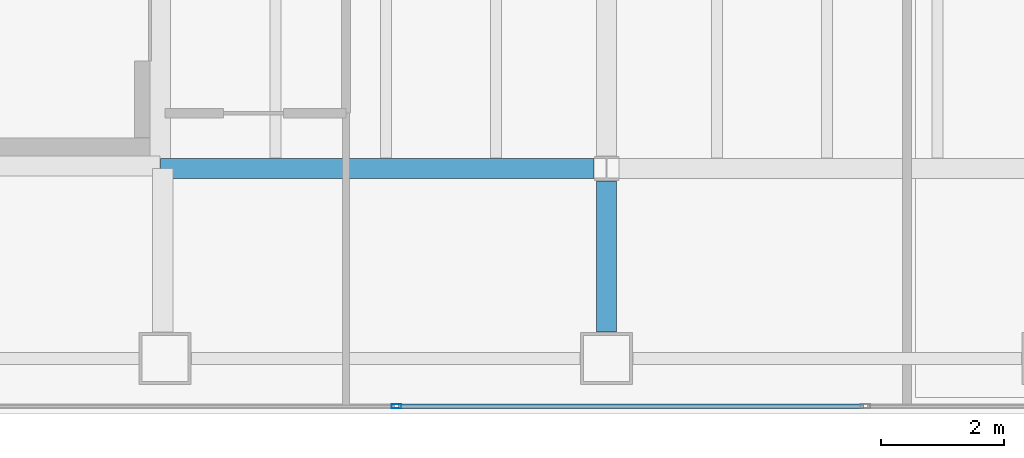
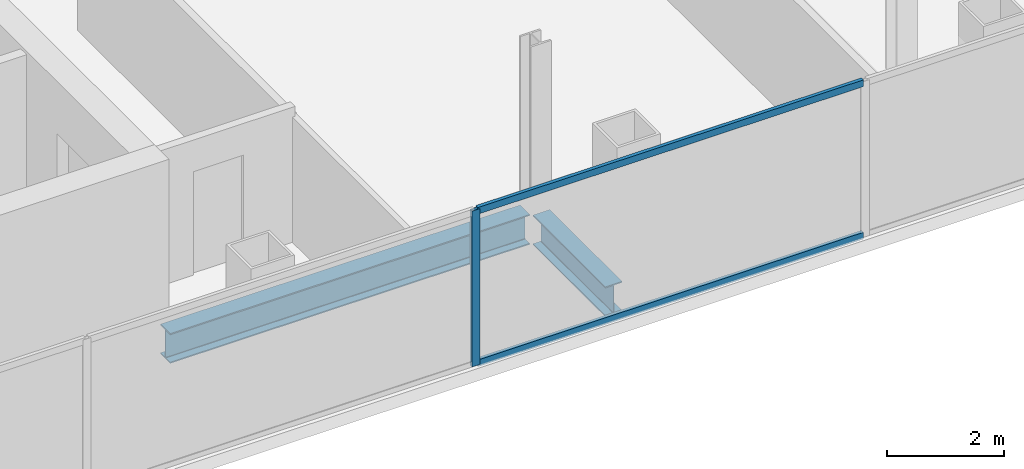
# One storey, part 4 of 23: 3 members, 2 beams, 1 element without a shape of its own.
"""IFC4 building model written with IfcOpenShell, lengths in metres."""

from ifc_helpers import new_model, si_unit, direction, frame, origin, origin_2d, place, context, subcontext, project, spatial, hollow_rectangle, i_section, extrude, material, material_profile, profile_set, type_object, element, aggregate, save


model = new_model("IFC4")

# Units and contexts
model_context = context("Model", 3, precision=1e-05, world=origin(), true_north=direction((0.0, 1.0)))
body_context = subcontext(model_context, "Body", "Model", "MODEL_VIEW")
ifc_project = project(units=[si_unit("LENGTHUNIT", "METRE"), si_unit("AREAUNIT", "SQUARE_METRE"), si_unit("VOLUMEUNIT", "CUBIC_METRE"), si_unit("PLANEANGLEUNIT", "RADIAN"), si_unit("MASSUNIT", "GRAM", prefix="KILO")], contexts=[model_context])

# Site, building, storey
site_placement = place(None, origin())
site = spatial("IfcSite", under=ifc_project, at=site_placement, CompositionType="ELEMENT")
building_placement = place(site_placement, origin())
building = spatial("IfcBuilding", under=site, at=building_placement, Name="Cobrela Telecom Tower", CompositionType="ELEMENT")
storey_placement = place(building_placement, frame((0.0, 0.0, 176.75)))
storey = spatial("IfcBuildingStorey", under=building, at=storey_placement, Name="L44", CompositionType="ELEMENT", Elevation=176.75)

# Beams
ifc_material_1 = material(Name="Steel ASTM A992 Grade 50", Category="steel")
ifc_material_profile_1 = material_profile(ifc_material_1, i_section(OverallWidth=0.327880859375, OverallDepth=0.6220703125, WebThickness=0.015380859375, FlangeThickness=0.0244140625, FilletRadius=0.014892578125, at=origin_2d()), Name="W24X131")
ifc_profile_set_1 = profile_set([ifc_material_profile_1], Name="Steel ASTM A992 Grade 50")
beam_type = type_object("IfcBeamType", Name="BM-GIRD-06", PredefinedType="USERDEFINED", material=ifc_profile_set_1)
beam_1_placement = place(storey_placement, frame((14.324951171875, 7.199951171875, -0.571044921875), z_axis=(1.0, 0.0, 0.0), x_axis=(0.0, 1.0, 0.0)))
element("IfcBeam", 1, at=beam_1_placement, inside=storey, type_object=beam_type, Name="L44 Primary Girder X07", ObjectType="GIRDER", PredefinedType="USERDEFINED", context=body_context, shape_type="SweptSolid", body=[
    extrude(i_section(OverallWidth=0.327880859375, OverallDepth=0.6220703125, WebThickness=0.015380859375, FlangeThickness=0.0244140625, FilletRadius=0.014892578125, at=origin_2d()), origin(), (0.0, 0.0, 1.0), 7.070556640625),
])
beam_2_placement = place(storey_placement, frame((21.60009765625, 4.530029296875, -0.571044921875), z_axis=(0.0, 1.0, 0.0), x_axis=(-1.0, 0.0, 0.0)))
element("IfcBeam", 2, at=beam_2_placement, inside=storey, type_object=beam_type, Name="L44 Primary Girder Y32", ObjectType="GIRDER", PredefinedType="USERDEFINED", context=body_context, shape_type="SweptSolid", body=[
    extrude(i_section(OverallWidth=0.327880859375, OverallDepth=0.6220703125, WebThickness=0.015380859375, FlangeThickness=0.0244140625, FilletRadius=0.014892578125, at=origin_2d()), origin(), (0.0, 0.0, 1.0), 2.465576171875),
])

# Curtain wall, members
ifc_material_2 = material(Name="Anodized Bronze Aluminium 6063-T6", Category="aluminium")
curtain_wall_type = type_object("IfcCurtainWallType", Name="CW-SYS-OFF-LO", PredefinedType="USERDEFINED", material=ifc_material_2)
curtain_wall_placement = place(storey_placement, origin())
curtain_wall = element("IfcCurtainWall", 3, at=curtain_wall_placement, inside=storey, type_object=curtain_wall_type, Name="L44 Unitised Bronze Curtain Wall 17", ObjectType="UNITISED CURTAIN WALL", PredefinedType="USERDEFINED")
ifc_material_profile_2 = material_profile(ifc_material_2, hollow_rectangle(XDim=0.070068359375, YDim=0.159912109375, WallThickness=0.00390625, at=origin_2d()), Name="ALU 70x160x4")
ifc_profile_set_2 = profile_set([ifc_material_profile_2], Name="Anodized Bronze Aluminium 6063-T6")
member_type_1 = type_object("IfcMemberType", Name="CW-SYS-OFF-LO-MUL", PredefinedType="MULLION", material=ifc_profile_set_2)
member_1_placement = place(storey_placement, frame((18.174072265625, 3.320068359375, 0.0), z_axis=(0.0, 0.0, 1.0), x_axis=(0.0, -1.0, 0.0)))
member_1 = element("IfcMember", 4, at=member_1_placement, type_object=member_type_1, Name="CW-OFF-LO mullion 4", PredefinedType="MULLION", context=body_context, shape_type="SweptSolid", body=[
    extrude(hollow_rectangle(XDim=0.070068359375, YDim=0.159912109375, WallThickness=0.00390625, at=origin_2d()), origin(), (0.0, 0.0, 1.0), 3.239990234375),
])
ifc_material_profile_3 = material_profile(ifc_material_2, hollow_rectangle(XDim=0.070068359375, YDim=0.139892578125, WallThickness=0.00390625, at=origin_2d()), Name="ALU 70x140x4")
ifc_profile_set_3 = profile_set([ifc_material_profile_3], Name="Anodized Bronze Aluminium 6063-T6")
member_type_2 = type_object("IfcMemberType", Name="CW-SYS-OFF-LO-TRN", PredefinedType="USERDEFINED", material=ifc_profile_set_3)
member_2_placement = place(storey_placement, frame((25.791015625, 3.320068359375, 0.034912109375), z_axis=(-1.0, 0.0, 0.0), x_axis=(0.0, -1.0, 0.0)))
member_2 = element("IfcMember", 5, at=member_2_placement, type_object=member_type_2, Name="CW-OFF-LO transom 3.1", ObjectType="TRANSOM", PredefinedType="USERDEFINED", context=body_context, shape_type="SweptSolid", body=[
    extrude(hollow_rectangle(XDim=0.070068359375, YDim=0.139892578125, WallThickness=0.00390625, at=origin_2d()), origin(), (0.0, 0.0, 1.0), 7.58203125),
])
member_3_placement = place(storey_placement, frame((25.791015625, 3.320068359375, 3.205078125), z_axis=(-1.0, 0.0, 0.0), x_axis=(0.0, -1.0, 0.0)))
member_3 = element("IfcMember", 6, at=member_3_placement, type_object=member_type_2, Name="CW-OFF-LO transom 3.2", ObjectType="TRANSOM", PredefinedType="USERDEFINED", context=body_context, shape_type="SweptSolid", body=[
    extrude(hollow_rectangle(XDim=0.070068359375, YDim=0.139892578125, WallThickness=0.00390625, at=origin_2d()), origin(), (0.0, 0.0, 1.0), 7.58203125),
])
aggregate(curtain_wall, [member_1, member_2, member_3])

save(model, "model.ifc")
